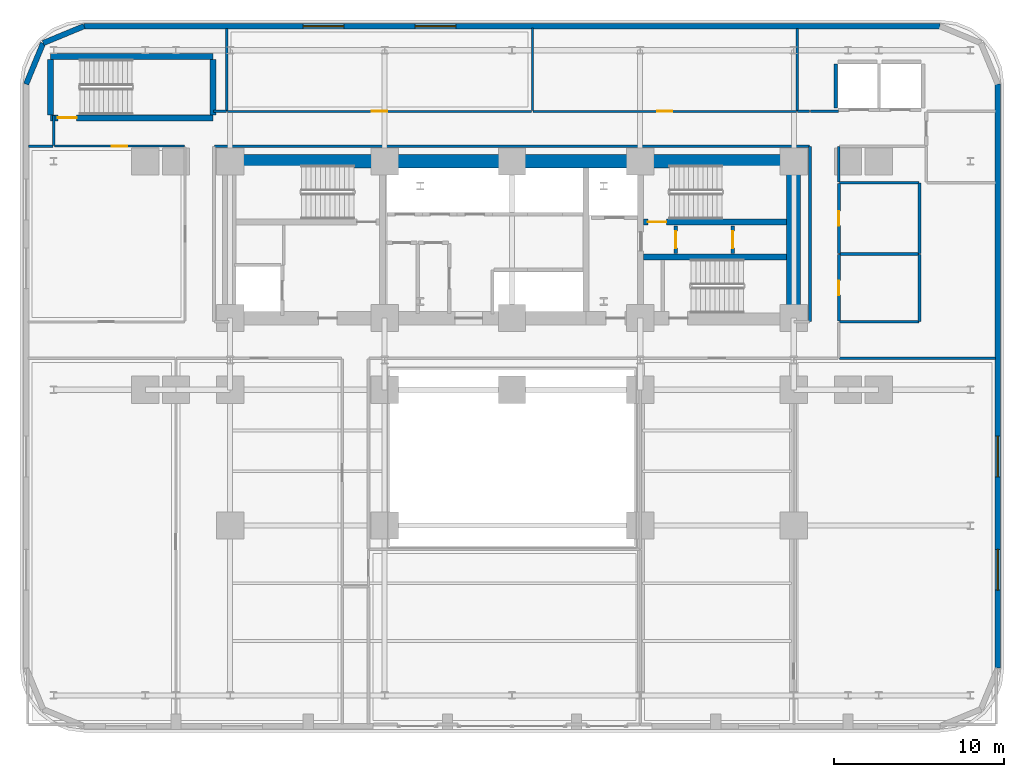
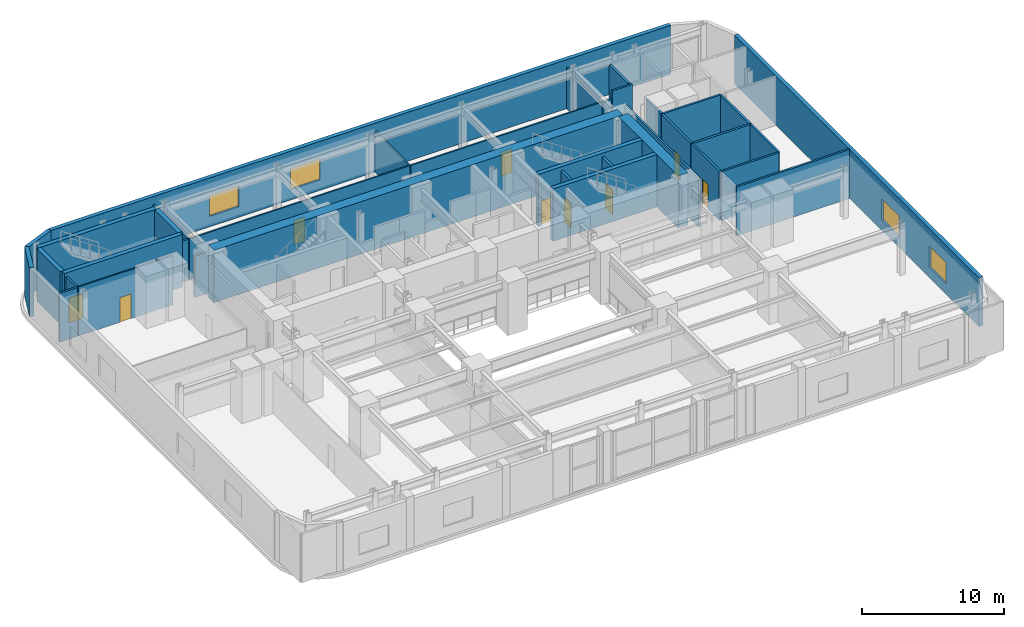
# One storey, part 8 of 14: 37 walls, 9 doors, 4 windows, 13 openings.
"""IFC4 building model written with IfcOpenShell, lengths in metres."""

import ifcopenshell
import ifcopenshell.guid

model = None  # the IFC model being written
_history = None  # IfcOwnerHistory: only IFC2X3 demands one
_inside = {}  # id of a spatial element -> (the spatial element, [elements in it])
_under = {}  # id of a project, library or spatial element -> (it, [spatial elements below it])
_declared = {}  # id of a project -> (the project, [libraries it declares])
_typed = {}  # id of a type object -> (the type object, [elements of that type])
_made_of = {}  # id of a material, layer set ... -> (it, [elements and type objects made of it])


def new_model(schema):
    """Start an empty IFC model of exactly this schema.

    Asked for "IFC4X3", IfcOpenShell would pick the latest addendum, in which some entities
    have other attributes; the version numbers below select the first issue.
    IFC2X3 requires an IfcOwnerHistory on every rooted entity: one is made here for all.
    """
    global model, _history
    if schema == "IFC4X3":
        model = ifcopenshell.file(schema_version=(4, 3, 0, 0))
    else:
        model = ifcopenshell.file(schema=schema)
    _inside.clear()
    _under.clear()
    _declared.clear()
    _typed.clear()
    _made_of.clear()
    _history = None
    if model.schema == "IFC2X3":
        org = make("IfcOrganization", Name="unknown")
        user = make(
            "IfcPersonAndOrganization",
            ThePerson=make("IfcPerson", FamilyName="unknown"),
            TheOrganization=org,
        )
        app = make(
            "IfcApplication",
            ApplicationDeveloper=org,
            Version="unknown",
            ApplicationFullName="unknown",
            ApplicationIdentifier="unknown",
        )
        _history = make(
            "IfcOwnerHistory",
            OwningUser=user,
            OwningApplication=app,
            ChangeAction="ADDED",
            CreationDate=0,
        )
    return model


def make(cls, **values):
    """One entity of the class cls with the attributes given. An attribute that is None is left unset."""
    return model.create_entity(
        cls, **{name: value for name, value in values.items() if value is not None}
    )


def rooted(cls, **values):
    """An entity with a GlobalId (a new one), such as an element, a storey or a relation."""
    return make(cls, GlobalId=ifcopenshell.guid.new(), OwnerHistory=_history, **values)


def si_unit(unit_type, name, prefix=None):
    """IfcSIUnit, for example si_unit("LENGTHUNIT", "METRE", prefix="MILLI")."""
    return make("IfcSIUnit", UnitType=unit_type, Prefix=prefix, Name=name)


def assignment(units):
    """IfcUnitAssignment: the units of a project."""
    return None if units is None else make("IfcUnitAssignment", Units=units)


def point(xyz):
    """IfcCartesianPoint."""
    return None if xyz is None else make("IfcCartesianPoint", Coordinates=xyz)


def direction(xyz):
    """IfcDirection."""
    return None if xyz is None else make("IfcDirection", DirectionRatios=xyz)


def frame(location, z_axis=None, x_axis=None):
    """IfcAxis2Placement3D, a coordinate frame: its origin and axes. An axis left out is left unset."""
    return make(
        "IfcAxis2Placement3D",
        Location=point(location),
        Axis=direction(z_axis),
        RefDirection=direction(x_axis),
    )


def frame_2d(location, x_axis=None):
    """IfcAxis2Placement2D, a coordinate frame in the plane: its origin and x axis."""
    return make(
        "IfcAxis2Placement2D", Location=point(location), RefDirection=direction(x_axis)
    )


def origin():
    """The frame at (0, 0, 0) with its axes left unset."""
    return frame((0.0, 0.0, 0.0))


def place(relative_to, where):
    """IfcLocalPlacement: puts the frame where relative to a parent placement (None: the world)."""
    return make(
        "IfcLocalPlacement", PlacementRelTo=relative_to, RelativePlacement=where
    )


def context(
    kind, dimensions, precision=None, world=None, true_north=None, identifier=None
):
    """IfcGeometricRepresentationContext, for example the 3D "Model" context."""
    return make(
        "IfcGeometricRepresentationContext",
        ContextIdentifier=identifier,
        ContextType=kind,
        CoordinateSpaceDimension=dimensions,
        Precision=precision,
        WorldCoordinateSystem=world,
        TrueNorth=true_north,
    )


def subcontext(parent, identifier, kind, view, scale=None):
    """IfcGeometricRepresentationSubContext, for example "Body" below "Model"."""
    return make(
        "IfcGeometricRepresentationSubContext",
        ContextIdentifier=identifier,
        ContextType=kind,
        ParentContext=parent,
        TargetScale=scale,
        TargetView=view,
    )


def project(units=None, contexts=None):
    """IfcProject with its units and contexts."""
    return rooted(
        "IfcProject",
        Name="project",
        RepresentationContexts=contexts,
        UnitsInContext=assignment(units),
    )


def spatial(cls, under=None, at=None, **own):
    """A site, building, storey or space (cls), placed at a placement, below another one or the project."""
    s = rooted(cls, ObjectPlacement=at, **own)
    if under is not None:
        _under.setdefault(under.id(), (under, []))[1].append(s)
    return s


def profile(cls, at=None, kind="AREA", **sizes):
    """A parametric profile (cls). Its sizes go by their IFC names, for example OverallWidth=200.0."""
    return make(cls, ProfileType=kind, Position=at, **sizes)


def rectangle(**sizes):
    """IfcRectangleProfileDef."""
    return profile("IfcRectangleProfileDef", **sizes)


def extrude(swept, where, along, depth):
    """IfcExtrudedAreaSolid: the profile swept, set in the frame where, extruded along a direction by depth."""
    return make(
        "IfcExtrudedAreaSolid",
        SweptArea=swept,
        Position=where,
        ExtrudedDirection=direction(along),
        Depth=depth,
    )


def shape(context_of_items, identifier, shape_type, items):
    """IfcShapeRepresentation: the items that make up one representation, for example the "Body"."""
    return make(
        "IfcShapeRepresentation",
        ContextOfItems=context_of_items,
        RepresentationIdentifier=identifier,
        RepresentationType=shape_type,
        Items=items,
    )


def material(Name=None, Category=None):
    """IfcMaterial."""
    return make("IfcMaterial", Name=Name, Category=Category)


def layer(
    of_material, thickness, ventilated=None, Name=None, Category=None, Priority=None
):
    """IfcMaterialLayer: one layer of a wall or slab, of a material (None: an air gap)."""
    return make(
        "IfcMaterialLayer",
        Material=of_material,
        LayerThickness=thickness,
        IsVentilated=ventilated,
        Name=Name,
        Category=Category,
        Priority=Priority,
    )


def layer_set(layers, Name=None):
    """IfcMaterialLayerSet."""
    return make("IfcMaterialLayerSet", MaterialLayers=layers, LayerSetName=Name)


def made_of(thing, what):
    """Note that an element or type object is made of a material, layer set ...; save() writes the relation."""
    if what is not None:
        _made_of.setdefault(what.id(), (what, []))[1].append(thing)
    return thing


def type_object(cls, material=None, **own):
    """A type object (cls), such as IfcWallType, which elements share."""
    return made_of(rooted(cls, **own), material)


def element(
    cls,
    number,
    at=None,
    inside=None,
    cuts=None,
    type_object=None,
    material=None,
    context=None,
    identifier="Body",
    shape_type=None,
    held_by="IfcProductDefinitionShape",
    body=None,
    shapes=None,
    **own,
):
    """One element of the class cls, such as IfcWall. Its Tag is "e" and its number.

    at: its placement. inside: the storey or other place that contains it. cuts: it is an
    opening in that element (IfcRelVoidsElement). A single representation is given by context,
    identifier, shape_type and body (its items); several are given by shapes. held_by: the class
    of the entity that holds the representations. save() writes the other relations.
    """
    e = rooted(cls, Tag="e%d" % number, ObjectPlacement=at, **own)
    if body is not None:
        shapes = [shape(context, identifier, shape_type, body)]
    if shapes is not None:
        e.Representation = make(held_by, Representations=shapes)
    if inside is not None:
        _inside.setdefault(inside.id(), (inside, []))[1].append(e)
    if cuts is not None:
        rooted(
            "IfcRelVoidsElement", RelatingBuildingElement=cuts, RelatedOpeningElement=e
        )
    if type_object is not None:
        _typed.setdefault(type_object.id(), (type_object, []))[1].append(e)
    return made_of(e, material)


def fill(opening, filler):
    """IfcRelFillsElement: the door or window that sits in an opening."""
    return rooted(
        "IfcRelFillsElement",
        RelatingOpeningElement=opening,
        RelatedBuildingElement=filler,
    )


def aggregate(whole, parts):
    """IfcRelAggregates: a whole, such as a stair, and the parts it consists of."""
    return rooted("IfcRelAggregates", RelatingObject=whole, RelatedObjects=parts)


def save(model, path):
    """Write the relations noted so far, then the file.

    IfcRelAggregates (storeys below a building ...), IfcRelContainedInSpatialStructure (elements
    in a storey), IfcRelDefinesByType, IfcRelAssociatesMaterial and IfcRelDeclares: one each for
    every whole, place, type object, material and project.
    """
    for whole, parts in _under.values():
        aggregate(whole, parts)
    for where, things in _inside.values():
        rooted(
            "IfcRelContainedInSpatialStructure",
            RelatedElements=things,
            RelatingStructure=where,
        )
    for kind, things in _typed.values():
        rooted("IfcRelDefinesByType", RelatedObjects=things, RelatingType=kind)
    for what, things in _made_of.values():
        rooted("IfcRelAssociatesMaterial", RelatedObjects=things, RelatingMaterial=what)
    for by, libraries in _declared.values():
        rooted("IfcRelDeclares", RelatingContext=by, RelatedDefinitions=libraries)
    model.write(path)


model = new_model("IFC4")

# Units and contexts
model_context = context("Model", 3, precision=1e-05, world=origin(), true_north=direction((0.0, 1.0)))
body_context = subcontext(model_context, "Body", "Model", "MODEL_VIEW")
ifc_project = project(units=[si_unit("LENGTHUNIT", "METRE"), si_unit("AREAUNIT", "SQUARE_METRE"), si_unit("VOLUMEUNIT", "CUBIC_METRE"), si_unit("PLANEANGLEUNIT", "RADIAN"), si_unit("MASSUNIT", "GRAM", prefix="KILO")], contexts=[model_context])

# Site, building, storey
site_placement = place(None, origin())
site = spatial("IfcSite", under=ifc_project, at=site_placement, CompositionType="ELEMENT")
building_placement = place(site_placement, origin())
building = spatial("IfcBuilding", under=site, at=building_placement, Name="Zarnavel Station Tower", CompositionType="ELEMENT")
storey_placement = place(building_placement, frame((0.0, 0.0, 10.39990234375)))
storey = spatial("IfcBuildingStorey", under=building, at=storey_placement, Name="L03", CompositionType="ELEMENT", Elevation=10.39990234375)

# Wall, opening, door
ifc_material_1 = material(Name="Concrete C50/60", Category="concrete")
ifc_layer_1 = layer(ifc_material_1, 0.35009765625)
ifc_layer_set_1 = layer_set([ifc_layer_1], Name="CW_350")
wall_type_1 = type_object("IfcWallType", Name="CW_350", PredefinedType="SHEAR", material=ifc_layer_set_1)
wall_1_placement = place(storey_placement, frame((44.97998046875, 33.47998046875, 0.0), z_axis=(0.0, 0.0, 1.0), x_axis=(-1.0, 0.0, 0.0)))
wall_1 = element("IfcWall", 1, at=wall_1_placement, inside=storey, type_object=wall_type_1, Name="L03 Rear Core Shear Wall DIV-H2", PredefinedType="SHEAR", context=body_context, shape_type="SweptSolid", body=[
    extrude(rectangle(XDim=8.425048828125, YDim=0.35009765625, at=frame_2d((4.21240234375, 0.0))), origin(), (0.0, 0.0, 1.0), 4.5),
])
opening_1_placement = place(wall_1_placement, frame((7.080078125, 0.0, 0.0)))
opening_1 = element("IfcOpeningElement", 2, at=opening_1_placement, cuts=wall_1, Name="Opening FD01", PredefinedType="OPENING", context=body_context, shape_type="SweptSolid", body=[
    extrude(rectangle(XDim=1.10009765625, YDim=2.14990234375, at=frame_2d((0.550048828125, 1.074951171875))), frame((0.0, 0.18505859375, 0.0), z_axis=(0.0, -1.0, 0.0), x_axis=(1.0, 0.0, 0.0)), (0.0, 0.0, 1.0), 0.3701171875),
])
ifc_material_2 = material(Name="Painted Galvanised Steel and Hardwood Leaf", Category="steel")
door_type_1 = type_object("IfcDoorType", Name="ID_STAIR_1100", OperationType="NOTDEFINED", PredefinedType="DOOR", material=ifc_material_2)
door_1_placement = place(opening_1_placement, origin())
door_1 = element("IfcDoor", 3, at=door_1_placement, inside=storey, type_object=door_type_1, Name="L03 Stair ST2 Lobby Fire Door", OperationType="SINGLE_SWING_RIGHT", OverallHeight=2.14990234375, OverallWidth=1.10009765625, PredefinedType="DOOR", context=body_context, shape_type="SweptSolid", body=[
    extrude(rectangle(XDim=1.10009765625, YDim=2.14990234375, at=frame_2d((0.550048828125, 1.074951171875))), frame((0.0, 0.02490234375, 0.0), z_axis=(0.0, -1.0, 0.0), x_axis=(1.0, 0.0, 0.0)), (0.0, 0.0, 1.0), 0.050048828125),
])
fill(opening_1, door_1)

# Walls
wall_2_placement = place(storey_placement, frame((36.554931640625, 31.419921875, 0.0), z_axis=(0.0, 0.0, 1.0), x_axis=(1.0, 0.0, 0.0)))
element("IfcWall", 4, at=wall_2_placement, inside=storey, type_object=wall_type_1, Name="L03 Rear Core Shear Wall DIV-H3", PredefinedType="SHEAR", context=body_context, shape_type="SweptSolid", body=[
    extrude(rectangle(XDim=8.425048828125, YDim=0.35009765625, at=frame_2d((4.21240234375, 0.0))), origin(), (0.0, 0.0, 1.0), 4.5),
])
wall_3_placement = place(storey_placement, frame((1.6201171875, 43.239990234375, 0.0), z_axis=(0.0, 0.0, 1.0), x_axis=(1.0, 0.0, 0.0)))
element("IfcWall", 5, at=wall_3_placement, inside=storey, type_object=wall_type_1, Name="L03 Rear Core Shear Wall ST4-N", PredefinedType="SHEAR", context=body_context, shape_type="SweptSolid", body=[
    extrude(rectangle(XDim=9.559814453125, YDim=0.35009765625, at=frame_2d((4.77978515625, 0.0))), origin(), (0.0, 0.0, 1.0), 4.5),
])

# Wall, opening, door
wall_4_placement = place(storey_placement, frame((11.179931640625, 39.6201171875, 0.0), z_axis=(0.0, 0.0, 1.0), x_axis=(-1.0, 0.0, 0.0)))
wall_4 = element("IfcWall", 6, at=wall_4_placement, inside=storey, type_object=wall_type_1, Name="L03 Rear Core Shear Wall ST4-S", PredefinedType="SHEAR", context=body_context, shape_type="SweptSolid", body=[
    extrude(rectangle(XDim=9.559814453125, YDim=0.35009765625, at=frame_2d((4.77978515625, 0.0))), origin(), (0.0, 0.0, 1.0), 4.5),
])
opening_2_placement = place(wall_4_placement, frame((8.030029296875, 0.0, 0.0)))
opening_2 = element("IfcOpeningElement", 7, at=opening_2_placement, cuts=wall_4, Name="Opening FD01", PredefinedType="OPENING", context=body_context, shape_type="SweptSolid", body=[
    extrude(rectangle(XDim=1.10009765625, YDim=2.14990234375, at=frame_2d((0.550048828125, 1.074951171875))), frame((0.0, 0.18505859375, 0.0), z_axis=(0.0, -1.0, 0.0), x_axis=(1.0, 0.0, 0.0)), (0.0, 0.0, 1.0), 0.3701171875),
])
door_2_placement = place(opening_2_placement, origin())
door_2 = element("IfcDoor", 8, at=door_2_placement, inside=storey, type_object=door_type_1, Name="L03 Podium Stair ST4 Fire Door", OperationType="SINGLE_SWING_RIGHT", OverallHeight=2.14990234375, OverallWidth=1.10009765625, PredefinedType="DOOR", context=body_context, shape_type="SweptSolid", body=[
    extrude(rectangle(XDim=1.10009765625, YDim=2.14990234375, at=frame_2d((0.550048828125, 1.074951171875))), frame((0.0, 0.02490234375, 0.0), z_axis=(0.0, -1.0, 0.0), x_axis=(1.0, 0.0, 0.0)), (0.0, 0.0, 1.0), 0.050048828125),
])
fill(opening_2, door_2)

# Walls
for number, where, z_axis, x_axis, name in (
    (9, (1.6201171875, 39.794921875, 0.0), (0.0, 0.0, 1.0), (0.0, 1.0, 0.0), "L03 Rear Core Shear Wall ST4-W"),
    (10, (11.179931640625, 39.794921875, 0.0), (0.0, 0.0, 1.0), (0.0, 1.0, 0.0), "L03 Rear Core Shear Wall ST4-E"),
):
    element("IfcWall", number, at=place(storey_placement, frame(where, z_axis=z_axis, x_axis=x_axis)), inside=storey, type_object=wall_type_1, Name=name, PredefinedType="SHEAR", context=body_context, shape_type="SweptSolid", body=[
        extrude(rectangle(XDim=3.27001953125, YDim=0.35009765625, at=frame_2d((1.635009765625, 0.0))), origin(), (0.0, 0.0, 1.0), 4.5),
    ])
ifc_material_3 = material(Name="Concrete C60/75", Category="concrete")
ifc_layer_2 = layer(ifc_material_3, 0.800048828125)
ifc_layer_set_2 = layer_set([ifc_layer_2], Name="CW_800")
wall_type_2 = type_object("IfcWallType", Name="CW_800", PredefinedType="SHEAR", material=ifc_layer_set_2)
wall_5_placement = place(storey_placement, frame((12.14990234375, 37.050048828125, 0.0), z_axis=(0.0, 0.0, 1.0), x_axis=(1.0, 0.0, 0.0)))
element("IfcWall", 11, at=wall_5_placement, inside=storey, type_object=wall_type_2, Name="L03 Rear Core Shear Wall N", PredefinedType="SHEAR", context=body_context, shape_type="SweptSolid", body=[
    extrude(rectangle(XDim=33.22998046875, YDim=0.800048828125, at=frame_2d((16.614990234375, 0.0))), origin(), (0.0, 0.0, 1.0), 4.5),
])
wall_6_placement = place(storey_placement, frame((45.3798828125, 28.219970703125, 0.0), z_axis=(0.0, 0.0, 1.0), x_axis=(0.0, 1.0, 0.0)))
element("IfcWall", 12, at=wall_6_placement, inside=storey, type_object=wall_type_2, Name="L03 Rear Core Shear Wall E", PredefinedType="SHEAR", context=body_context, shape_type="SweptSolid", body=[
    extrude(rectangle(XDim=8.429931640625, YDim=0.800048828125, at=frame_2d((4.21484375, 0.0))), origin(), (0.0, 0.0, 1.0), 4.5),
])

# Wall, openings, windows
ifc_material_4 = material(Name="Precast concrete C45/55 (Podium Basalt Frame)", Category="masonry")
ifc_layer_3 = layer(ifc_material_4, 0.320068359375)
ifc_layer_set_3 = layer_set([ifc_layer_3], Name="EW_BASALT_320")
wall_type_3 = type_object("IfcWallType", Name="EW_BASALT_320", PredefinedType="SOLIDWALL", material=ifc_layer_set_3)
wall_7_placement = place(storey_placement, frame((57.419921875, 41.60009765625, 0.0), z_axis=(0.0, 0.0, 1.0), x_axis=(0.0, -1.0, 0.0)))
wall_7 = element("IfcWall", 13, at=wall_7_placement, inside=storey, type_object=wall_type_3, Name="L03 Exterior Basalt Masonry Frame Wall 03", PredefinedType="SOLIDWALL", context=body_context, shape_type="SweptSolid", body=[
    extrude(rectangle(XDim=34.400146484375, YDim=0.320068359375, at=frame_2d((17.2001953125, 0.0))), origin(), (0.0, 0.0, 1.0), 4.2001953125),
])
opening_3_placement = place(wall_7_placement, frame((20.726806640625, 0.0, 0.89990234375)))
opening_3 = element("IfcOpeningElement", 14, at=opening_3_placement, cuts=wall_7, Name="Opening WN03", PredefinedType="OPENING", context=body_context, shape_type="SweptSolid", body=[
    extrude(rectangle(XDim=2.39990234375, YDim=1.800048828125, at=frame_2d((1.199951171875, 0.89990234375))), frame((0.0, 0.169921875, 0.0), z_axis=(0.0, -1.0, 0.0), x_axis=(1.0, 0.0, 0.0)), (0.0, 0.0, 1.0), 0.340087890625),
])
opening_4_placement = place(wall_7_placement, frame((27.4033203125, 0.0, 0.89990234375)))
opening_4 = element("IfcOpeningElement", 15, at=opening_4_placement, cuts=wall_7, Name="Opening WN03", PredefinedType="OPENING", context=body_context, shape_type="SweptSolid", body=[
    extrude(rectangle(XDim=2.39990234375, YDim=1.800048828125, at=frame_2d((1.199951171875, 0.89990234375))), frame((0.0, 0.169921875, 0.0), z_axis=(0.0, -1.0, 0.0), x_axis=(1.0, 0.0, 0.0)), (0.0, 0.0, 1.0), 0.340087890625),
])
ifc_material_5 = material(Name="Thermally Broken Black Aluminium and Low-E Dark Glass", Category="aluminium")
window_type = type_object("IfcWindowType", Name="WN_2400x1800", PartitioningType="TRIPLE_PANEL_VERTICAL", PredefinedType="WINDOW", material=ifc_material_5)
window_1_placement = place(opening_3_placement, origin())
window_1 = element("IfcWindow", 16, at=window_1_placement, inside=storey, type_object=window_type, Name="L03 Recessed Facade Window 01", OverallHeight=1.800048828125, OverallWidth=2.39990234375, PartitioningType="SINGLE_PANEL", PredefinedType="WINDOW", context=body_context, shape_type="SweptSolid", body=[
    extrude(rectangle(XDim=2.39990234375, YDim=1.800048828125, at=frame_2d((1.199951171875, 0.89990234375))), frame((0.0, 0.030029296875, 0.0), z_axis=(0.0, -1.0, 0.0), x_axis=(1.0, 0.0, 0.0)), (0.0, 0.0, 1.0), 0.06005859375),
])
fill(opening_3, window_1)
window_2_placement = place(opening_4_placement, origin())
window_2 = element("IfcWindow", 17, at=window_2_placement, inside=storey, type_object=window_type, Name="L03 Recessed Facade Window 02", OverallHeight=1.800048828125, OverallWidth=2.39990234375, PartitioningType="SINGLE_PANEL", PredefinedType="WINDOW", context=body_context, shape_type="SweptSolid", body=[
    extrude(rectangle(XDim=2.39990234375, YDim=1.800048828125, at=frame_2d((1.199951171875, 0.89990234375))), frame((0.0, 0.030029296875, 0.0), z_axis=(0.0, -1.0, 0.0), x_axis=(1.0, 0.0, 0.0)), (0.0, 0.0, 1.0), 0.06005859375),
])
fill(opening_4, window_2)

wall_8_placement = place(storey_placement, frame((3.60009765625, 45.02001953125, 0.0), z_axis=(0.0, 0.0, 1.0), x_axis=(1.0, 0.0, 0.0)))
wall_8 = element("IfcWall", 18, at=wall_8_placement, inside=storey, type_object=wall_type_3, Name="L03 Exterior Basalt Masonry Frame Wall 06", PredefinedType="SOLIDWALL", context=body_context, shape_type="SweptSolid", body=[
    extrude(rectangle(XDim=50.39990234375, YDim=0.320068359375, at=frame_2d((25.199951171875, 0.0))), origin(), (0.0, 0.0, 1.0), 4.2001953125),
])
opening_5_placement = place(wall_8_placement, frame((12.89990234375, 0.0, 0.89990234375)))
opening_5 = element("IfcOpeningElement", 19, at=opening_5_placement, cuts=wall_8, Name="Opening WN03", PredefinedType="OPENING", context=body_context, shape_type="SweptSolid", body=[
    extrude(rectangle(XDim=2.39990234375, YDim=1.800048828125, at=frame_2d((1.199951171875, 0.89990234375))), frame((0.0, 0.169921875, 0.0), z_axis=(0.0, -1.0, 0.0), x_axis=(1.0, 0.0, 0.0)), (0.0, 0.0, 1.0), 0.340087890625),
])
opening_6_placement = place(wall_8_placement, frame((19.5, 0.0, 0.89990234375)))
opening_6 = element("IfcOpeningElement", 20, at=opening_6_placement, cuts=wall_8, Name="Opening WN03", PredefinedType="OPENING", context=body_context, shape_type="SweptSolid", body=[
    extrude(rectangle(XDim=2.39990234375, YDim=1.800048828125, at=frame_2d((1.199951171875, 0.89990234375))), frame((0.0, 0.169921875, 0.0), z_axis=(0.0, -1.0, 0.0), x_axis=(1.0, 0.0, 0.0)), (0.0, 0.0, 1.0), 0.340087890625),
])
window_3_placement = place(opening_5_placement, origin())
window_3 = element("IfcWindow", 21, at=window_3_placement, inside=storey, type_object=window_type, Name="L03 Recessed Facade Window 01", OverallHeight=1.800048828125, OverallWidth=2.39990234375, PartitioningType="SINGLE_PANEL", PredefinedType="WINDOW", context=body_context, shape_type="SweptSolid", body=[
    extrude(rectangle(XDim=2.39990234375, YDim=1.800048828125, at=frame_2d((1.199951171875, 0.89990234375))), frame((0.0, 0.030029296875, 0.0), z_axis=(0.0, -1.0, 0.0), x_axis=(1.0, 0.0, 0.0)), (0.0, 0.0, 1.0), 0.06005859375),
])
fill(opening_5, window_3)
window_4_placement = place(opening_6_placement, origin())
window_4 = element("IfcWindow", 22, at=window_4_placement, inside=storey, type_object=window_type, Name="L03 Recessed Facade Window 02", OverallHeight=1.800048828125, OverallWidth=2.39990234375, PartitioningType="SINGLE_PANEL", PredefinedType="WINDOW", context=body_context, shape_type="SweptSolid", body=[
    extrude(rectangle(XDim=2.39990234375, YDim=1.800048828125, at=frame_2d((1.199951171875, 0.89990234375))), frame((0.0, 0.030029296875, 0.0), z_axis=(0.0, -1.0, 0.0), x_axis=(1.0, 0.0, 0.0)), (0.0, 0.0, 1.0), 0.06005859375),
])
fill(opening_6, window_4)

# Walls
wall_9_placement = place(storey_placement, frame((1.181640625, 44.018310546875, 0.0), z_axis=(0.0, 0.0, 1.0), x_axis=(0.923886112352, 0.382667546838, 0.0)))
element("IfcWall", 23, at=wall_9_placement, inside=storey, type_object=wall_type_3, Name="L03 Exterior Basalt Masonry Frame Wall 07", PredefinedType="SOLIDWALL", context=body_context, shape_type="SweptSolid", body=[
    extrude(rectangle(XDim=2.61767578125, YDim=0.320068359375, at=frame_2d((1.308837890625, 0.0))), origin(), (0.0, 0.0, 1.0), 4.2001953125),
])
wall_10_placement = place(storey_placement, frame((0.179931640625, 41.60009765625, 0.0), z_axis=(0.0, 0.0, 1.0), x_axis=(0.382700522567, 0.923872453333, 0.0)))
element("IfcWall", 24, at=wall_10_placement, inside=storey, type_object=wall_type_3, Name="L03 Exterior Basalt Masonry Frame Wall 08", PredefinedType="SOLIDWALL", context=body_context, shape_type="SweptSolid", body=[
    extrude(rectangle(XDim=2.617431640625, YDim=0.320068359375, at=frame_2d((1.30859375, 0.0))), origin(), (0.0, 0.0, 1.0), 4.2001953125),
])
ifc_material_6 = material(Name="Gypsum Twin-Stud Acoustic Fire Partition", Category="concrete")
ifc_layer_4 = layer(ifc_material_6, 0.159912109375)
ifc_layer_set_4 = layer_set([ifc_layer_4], Name="PT_DEMISE_160")
wall_type_4 = type_object("IfcWallType", Name="PT_DEMISE_160", PredefinedType="PARTITIONING", material=ifc_layer_set_4)
wall_11_placement = place(storey_placement, frame((46.3798828125, 40.0, 0.0), z_axis=(0.0, 0.0, 1.0), x_axis=(1.0, 0.0, 0.0)))
element("IfcWall", 25, at=wall_11_placement, inside=storey, type_object=wall_type_4, Name="L03 Enclosure Wall PCOR-E", PredefinedType="PARTITIONING", context=body_context, shape_type="SweptSolid", body=[
    extrude(rectangle(XDim=1.64013671875, YDim=0.159912109375, at=frame_2d((0.820068359375, 0.0))), origin(), (0.0, 0.0, 1.0), 4.2001953125),
])
wall_12_placement = place(storey_placement, frame((46.35009765625, 27.6298828125, 0.0), z_axis=(0.0, 0.0, 1.0), x_axis=(0.0, 1.0, 0.0)))
element("IfcWall", 26, at=wall_12_placement, inside=storey, type_object=wall_type_4, Name="L03 Enclosure Wall PCOR-E", PredefinedType="PARTITIONING", context=body_context, shape_type="SweptSolid", body=[
    extrude(rectangle(XDim=10.2900390625, YDim=0.159912109375, at=frame_2d((5.14501953125, 0.0))), origin(), (0.0, 0.0, 1.0), 4.2001953125),
])
wall_13_placement = place(storey_placement, frame((48.050048828125, 35.830078125, 0.0), z_axis=(0.0, 0.0, 1.0), x_axis=(0.0, 1.0, 0.0)))
element("IfcWall", 27, at=wall_13_placement, inside=storey, type_object=wall_type_4, Name="L03 Enclosure Wall PCOR-E", PredefinedType="PARTITIONING", context=body_context, shape_type="SweptSolid", body=[
    extrude(rectangle(XDim=2.08984375, YDim=0.159912109375, at=frame_2d((1.044921875, 0.0))), origin(), (0.0, 0.0, 1.0), 4.2001953125),
])
wall_14_placement = place(storey_placement, frame((11.280029296875, 37.949951171875, 0.0), z_axis=(0.0, 0.0, 1.0), x_axis=(1.0, 0.0, 0.0)))
element("IfcWall", 28, at=wall_14_placement, inside=storey, type_object=wall_type_4, Name="L03 Enclosure Wall PCOR-N", PredefinedType="PARTITIONING", context=body_context, shape_type="SweptSolid", body=[
    extrude(rectangle(XDim=35.0400390625, YDim=0.159912109375, at=frame_2d((17.52001953125, 0.0))), origin(), (0.0, 0.0, 1.0), 3.530029296875),
])
wall_15_placement = place(storey_placement, frame((11.2099609375, 40.0, 0.0), z_axis=(0.0, 0.0, 1.0), x_axis=(1.0, 0.0, 0.0)))
element("IfcWall", 29, at=wall_15_placement, inside=storey, type_object=wall_type_4, Name="L03 Enclosure Wall PCOR-N", PredefinedType="PARTITIONING", context=body_context, shape_type="SweptSolid", body=[
    extrude(rectangle(XDim=0.760009765625, YDim=0.159912109375, at=frame_2d((0.3798828125, 0.0))), origin(), (0.0, 0.0, 1.0), 3.530029296875),
])
wall_16_placement = place(storey_placement, frame((45.6298828125, 40.0, 0.0), z_axis=(0.0, 0.0, 1.0), x_axis=(1.0, 0.0, 0.0)))
element("IfcWall", 30, at=wall_16_placement, inside=storey, type_object=wall_type_4, Name="L03 Enclosure Wall PCOR-N", PredefinedType="PARTITIONING", context=body_context, shape_type="SweptSolid", body=[
    extrude(rectangle(XDim=0.690185546875, YDim=0.159912109375, at=frame_2d((0.34521484375, 0.0))), origin(), (0.0, 0.0, 1.0), 3.530029296875),
])
wall_17_placement = place(storey_placement, frame((1.800048828125, 37.97998046875, 0.0), z_axis=(0.0, 0.0, 1.0), x_axis=(0.0, 1.0, 0.0)))
element("IfcWall", 31, at=wall_17_placement, inside=storey, type_object=wall_type_4, Name="L03 Enclosure Wall PCOR-N", PredefinedType="PARTITIONING", context=body_context, shape_type="SweptSolid", body=[
    extrude(rectangle(XDim=1.784912109375, YDim=0.159912109375, at=frame_2d((0.892578125, 0.0))), origin(), (0.0, 0.0, 1.0), 4.2001953125),
])
wall_18_placement = place(storey_placement, frame((0.31005859375, 37.949951171875, 0.0), z_axis=(0.0, 0.0, 1.0), x_axis=(1.0, 0.0, 0.0)))
element("IfcWall", 32, at=wall_18_placement, inside=storey, type_object=wall_type_4, Name="L03 Enclosure Wall PNW", PredefinedType="PARTITIONING", context=body_context, shape_type="SweptSolid", body=[
    extrude(rectangle(XDim=1.4599609375, YDim=0.159912109375, at=frame_2d((0.72998046875, 0.0))), origin(), (0.0, 0.0, 1.0), 4.2001953125),
])
wall_19_placement = place(storey_placement, frame((48.080078125, 27.60009765625, 0.0), z_axis=(0.0, 0.0, 1.0), x_axis=(1.0, 0.0, 0.0)))
element("IfcWall", 33, at=wall_19_placement, inside=storey, type_object=wall_type_4, Name="L03 Enclosure Wall PWC-M", PredefinedType="PARTITIONING", context=body_context, shape_type="SweptSolid", body=[
    extrude(rectangle(XDim=4.68994140625, YDim=0.159912109375, at=frame_2d((2.344970703125, 0.0))), origin(), (0.0, 0.0, 1.0), 4.2001953125),
])
wall_20_placement = place(storey_placement, frame((52.800048828125, 27.6298828125, 0.0), z_axis=(0.0, 0.0, 1.0), x_axis=(0.0, 1.0, 0.0)))
element("IfcWall", 34, at=wall_20_placement, inside=storey, type_object=wall_type_4, Name="L03 Enclosure Wall PWC-M", PredefinedType="PARTITIONING", context=body_context, shape_type="SweptSolid", body=[
    extrude(rectangle(XDim=3.940185546875, YDim=0.159912109375, at=frame_2d((1.97021484375, 0.0))), origin(), (0.0, 0.0, 1.0), 4.2001953125),
])
wall_21_placement = place(storey_placement, frame((48.080078125, 35.800048828125, 0.0), z_axis=(0.0, 0.0, 1.0), x_axis=(1.0, 0.0, 0.0)))
element("IfcWall", 35, at=wall_21_placement, inside=storey, type_object=wall_type_4, Name="L03 Enclosure Wall PWC-F", PredefinedType="PARTITIONING", context=body_context, shape_type="SweptSolid", body=[
    extrude(rectangle(XDim=4.68994140625, YDim=0.159912109375, at=frame_2d((2.344970703125, 0.0))), origin(), (0.0, 0.0, 1.0), 4.2001953125),
])
wall_22_placement = place(storey_placement, frame((52.800048828125, 31.6298828125, 0.0), z_axis=(0.0, 0.0, 1.0), x_axis=(0.0, 1.0, 0.0)))
element("IfcWall", 36, at=wall_22_placement, inside=storey, type_object=wall_type_4, Name="L03 Enclosure Wall PWC-F", PredefinedType="PARTITIONING", context=body_context, shape_type="SweptSolid", body=[
    extrude(rectangle(XDim=4.14013671875, YDim=0.159912109375, at=frame_2d((2.070068359375, 0.0))), origin(), (0.0, 0.0, 1.0), 4.2001953125),
])
wall_23_placement = place(storey_placement, frame((48.080078125, 25.449951171875, 0.0), z_axis=(0.0, 0.0, 1.0), x_axis=(1.0, 0.0, 0.0)))
element("IfcWall", 37, at=wall_23_placement, inside=storey, type_object=wall_type_4, Name="L03 Enclosure Wall BOUE", PredefinedType="PARTITIONING", context=body_context, shape_type="SweptSolid", body=[
    extrude(rectangle(XDim=9.2099609375, YDim=0.159912109375, at=frame_2d((4.60498046875, 0.0))), origin(), (0.0, 0.0, 1.0), 4.2001953125),
])
for number, where, z_axis, x_axis, name in (
    (38, (12.0, 40.030029296875, 0.0), (0.0, 0.0, 1.0), (0.0, 1.0, 0.0), "L03 Enclosure Wall MGT"),
    (39, (45.60009765625, 40.030029296875, 0.0), (0.0, 0.0, 1.0), (0.0, 1.0, 0.0), "L03 Enclosure Wall STKR"),
):
    element("IfcWall", number, at=place(storey_placement, frame(where, z_axis=z_axis, x_axis=x_axis)), inside=storey, type_object=wall_type_4, Name=name, PredefinedType="PARTITIONING", context=body_context, shape_type="SweptSolid", body=[
        extrude(rectangle(XDim=4.85986328125, YDim=0.159912109375, at=frame_2d((2.429931640625, 0.0))), origin(), (0.0, 0.0, 1.0), 3.530029296875),
    ])

# Wall, opening, door
ifc_material_7 = material(Name="Gypsum Metal-Stud Interior Partition", Category="concrete")
ifc_layer_5 = layer(ifc_material_7, 0.1201171875)
ifc_layer_set_5 = layer_set([ifc_layer_5], Name="PT_ROOM_120")
wall_type_5 = type_object("IfcWallType", Name="PT_ROOM_120", PredefinedType="PARTITIONING", material=ifc_layer_set_5)
wall_24_placement = place(storey_placement, frame((1.840087890625, 37.949951171875, 0.0), z_axis=(0.0, 0.0, 1.0), x_axis=(1.0, 0.0, 0.0)))
wall_24 = element("IfcWall", 40, at=wall_24_placement, inside=storey, type_object=wall_type_5, Name="L03 Partition PCOR-N-PNW", PredefinedType="PARTITIONING", context=body_context, shape_type="SweptSolid", body=[
    extrude(rectangle(XDim=7.669921875, YDim=0.1201171875, at=frame_2d((3.8349609375, 0.0))), origin(), (0.0, 0.0, 1.0), 4.2001953125),
])
opening_7_placement = place(wall_24_placement, frame((3.385009765625, 0.0, 0.0)))
opening_7 = element("IfcOpeningElement", 41, at=opening_7_placement, cuts=wall_24, Name="Opening ID01", PredefinedType="OPENING", context=body_context, shape_type="SweptSolid", body=[
    extrude(rectangle(XDim=0.89990234375, YDim=2.10009765625, at=frame_2d((0.449951171875, 1.050048828125))), frame((0.0, 0.070068359375, 0.0), z_axis=(0.0, -1.0, 0.0), x_axis=(1.0, 0.0, 0.0)), (0.0, 0.0, 1.0), 0.14013671875),
])
ifc_material_8 = material(Name="Painted Galvanised Steel and Hardwood Leaf", Category="steel")
door_type_2 = type_object("IfcDoorType", Name="ID_ROOM_900", OperationType="NOTDEFINED", PredefinedType="DOOR", material=ifc_material_8)
door_3_placement = place(opening_7_placement, origin())
door_3 = element("IfcDoor", 42, at=door_3_placement, inside=storey, type_object=door_type_2, Name="L03 Door PCOR-N-PNW", OperationType="SINGLE_SWING_LEFT", OverallHeight=2.10009765625, OverallWidth=0.89990234375, PredefinedType="DOOR", context=body_context, shape_type="SweptSolid", body=[
    extrude(rectangle(XDim=0.89990234375, YDim=2.10009765625, at=frame_2d((0.449951171875, 1.050048828125))), frame((0.0, 0.02490234375, 0.0), z_axis=(0.0, -1.0, 0.0), x_axis=(1.0, 0.0, 0.0)), (0.0, 0.0, 1.0), 0.050048828125),
])
fill(opening_7, door_3)

wall_25_placement = place(storey_placement, frame((12.0400390625, 40.0, 0.0), z_axis=(0.0, 0.0, 1.0), x_axis=(1.0, 0.0, 0.0)))
wall_25 = element("IfcWall", 43, at=wall_25_placement, inside=storey, type_object=wall_type_5, Name="L03 Partition PCOR-N-MGT", PredefinedType="PARTITIONING", context=body_context, shape_type="SweptSolid", body=[
    extrude(rectangle(XDim=17.919921875, YDim=0.1201171875, at=frame_2d((8.9599609375, 0.0))), origin(), (0.0, 0.0, 1.0), 3.530029296875),
])
opening_8_placement = place(wall_25_placement, frame((8.510009765625, 0.0, 0.0)))
opening_8 = element("IfcOpeningElement", 44, at=opening_8_placement, cuts=wall_25, Name="Opening ID01", PredefinedType="OPENING", context=body_context, shape_type="SweptSolid", body=[
    extrude(rectangle(XDim=0.89990234375, YDim=2.10009765625, at=frame_2d((0.449951171875, 1.050048828125))), frame((0.0, 0.070068359375, 0.0), z_axis=(0.0, -1.0, 0.0), x_axis=(1.0, 0.0, 0.0)), (0.0, 0.0, 1.0), 0.14013671875),
])
door_4_placement = place(opening_8_placement, origin())
door_4 = element("IfcDoor", 45, at=door_4_placement, inside=storey, type_object=door_type_2, Name="L03 Door PCOR-N-MGT", OperationType="SINGLE_SWING_RIGHT", OverallHeight=2.10009765625, OverallWidth=0.89990234375, PredefinedType="DOOR", context=body_context, shape_type="SweptSolid", body=[
    extrude(rectangle(XDim=0.89990234375, YDim=2.10009765625, at=frame_2d((0.449951171875, 1.050048828125))), frame((0.0, 0.02490234375, 0.0), z_axis=(0.0, -1.0, 0.0), x_axis=(1.0, 0.0, 0.0)), (0.0, 0.0, 1.0), 0.050048828125),
])
fill(opening_8, door_4)

wall_26_placement = place(storey_placement, frame((30.0400390625, 40.0, 0.0), z_axis=(0.0, 0.0, 1.0), x_axis=(1.0, 0.0, 0.0)))
wall_26 = element("IfcWall", 46, at=wall_26_placement, inside=storey, type_object=wall_type_5, Name="L03 Partition PCOR-N-STKR", PredefinedType="PARTITIONING", context=body_context, shape_type="SweptSolid", body=[
    extrude(rectangle(XDim=15.52001953125, YDim=0.1201171875, at=frame_2d((7.760009765625, 0.0))), origin(), (0.0, 0.0, 1.0), 3.530029296875),
])
opening_9_placement = place(wall_26_placement, frame((7.31005859375, 0.0, 0.0)))
opening_9 = element("IfcOpeningElement", 47, at=opening_9_placement, cuts=wall_26, Name="Opening ID01", PredefinedType="OPENING", context=body_context, shape_type="SweptSolid", body=[
    extrude(rectangle(XDim=0.89990234375, YDim=2.10009765625, at=frame_2d((0.449951171875, 1.050048828125))), frame((0.0, 0.070068359375, 0.0), z_axis=(0.0, -1.0, 0.0), x_axis=(1.0, 0.0, 0.0)), (0.0, 0.0, 1.0), 0.14013671875),
])
door_5_placement = place(opening_9_placement, origin())
door_5 = element("IfcDoor", 48, at=door_5_placement, inside=storey, type_object=door_type_2, Name="L03 Door PCOR-N-STKR", OperationType="SINGLE_SWING_LEFT", OverallHeight=2.10009765625, OverallWidth=0.89990234375, PredefinedType="DOOR", context=body_context, shape_type="SweptSolid", body=[
    extrude(rectangle(XDim=0.89990234375, YDim=2.10009765625, at=frame_2d((0.449951171875, 1.050048828125))), frame((0.0, 0.02490234375, 0.0), z_axis=(0.0, -1.0, 0.0), x_axis=(1.0, 0.0, 0.0)), (0.0, 0.0, 1.0), 0.050048828125),
])
fill(opening_9, door_5)

# Walls
wall_27_placement = place(storey_placement, frame((30.0, 40.0400390625, 0.0), z_axis=(0.0, 0.0, 1.0), x_axis=(0.0, 1.0, 0.0)))
element("IfcWall", 49, at=wall_27_placement, inside=storey, type_object=wall_type_5, Name="L03 Partition MGT-STKR", PredefinedType="PARTITIONING", context=body_context, shape_type="SweptSolid", body=[
    extrude(rectangle(XDim=4.8798828125, YDim=0.1201171875, at=frame_2d((2.43994140625, 0.0))), origin(), (0.0, 0.0, 1.0), 3.530029296875),
])
ifc_material_9 = material(Name="Precast concrete C45/55 (Fire Shaft Blockwork)", Category="masonry")
ifc_layer_6 = layer(ifc_material_9, 0.199951171875)
ifc_layer_set_6 = layer_set([ifc_layer_6], Name="PT_SHAFT_200")
wall_type_6 = type_object("IfcWallType", Name="PT_SHAFT_200", PredefinedType="PARTITIONING", material=ifc_layer_set_6)
wall_28_placement = place(storey_placement, frame((47.8798828125, 40.199951171875, 0.0), z_axis=(0.0, 0.0, 1.0), x_axis=(0.0, 1.0, 0.0)))
element("IfcWall", 50, at=wall_28_placement, inside=storey, type_object=wall_type_6, Name="L03 Lift PL-P1 Shaft Wall W", PredefinedType="PARTITIONING", context=body_context, shape_type="SweptSolid", body=[
    extrude(rectangle(XDim=2.60009765625, YDim=0.199951171875, at=frame_2d((1.300048828125, 0.0))), origin(), (0.0, 0.0, 1.0), 4.2001953125),
])

# Wall, opening, door
wall_29_placement = place(storey_placement, frame((38.449951171875, 31.639892578125, 0.0), z_axis=(0.0, 0.0, 1.0), x_axis=(0.0, 1.0, 0.0)))
wall_29 = element("IfcWall", 51, at=wall_29_placement, inside=storey, type_object=wall_type_6, Name="L03 Partition ESTV-CEA", PredefinedType="PARTITIONING", context=body_context, shape_type="SweptSolid", body=[
    extrude(rectangle(XDim=1.6201171875, YDim=0.199951171875, at=frame_2d((0.81005859375, 0.0))), origin(), (0.0, 0.0, 1.0), 4.2001953125),
])
opening_10_placement = place(wall_29_placement, frame((0.31005859375, 0.0, 0.0)))
opening_10 = element("IfcOpeningElement", 52, at=opening_10_placement, cuts=wall_29, Name="Opening FD02", PredefinedType="OPENING", context=body_context, shape_type="SweptSolid", body=[
    extrude(rectangle(XDim=1.0, YDim=2.14990234375, at=frame_2d((0.5, 1.074951171875))), frame((0.0, 0.10986328125, 0.0), z_axis=(0.0, -1.0, 0.0), x_axis=(1.0, 0.0, 0.0)), (0.0, 0.0, 1.0), 0.219970703125),
])
ifc_material_10 = material(Name="Painted Galvanised Steel and Hardwood Leaf", Category="steel")
door_type_3 = type_object("IfcDoorType", Name="ID_ENTRY_1000", OperationType="NOTDEFINED", PredefinedType="DOOR", material=ifc_material_10)
door_6_placement = place(opening_10_placement, origin())
door_6 = element("IfcDoor", 53, at=door_6_placement, inside=storey, type_object=door_type_3, Name="L03 Door ESTV-CEA", OperationType="SINGLE_SWING_RIGHT", OverallHeight=2.14990234375, OverallWidth=1.0, PredefinedType="DOOR", context=body_context, shape_type="SweptSolid", body=[
    extrude(rectangle(XDim=1.0, YDim=2.14990234375, at=frame_2d((0.5, 1.074951171875))), frame((0.0, 0.02490234375, 0.0), z_axis=(0.0, -1.0, 0.0), x_axis=(1.0, 0.0, 0.0)), (0.0, 0.0, 1.0), 0.050048828125),
])
fill(opening_10, door_6)

wall_30_placement = place(storey_placement, frame((41.800048828125, 31.639892578125, 0.0), z_axis=(0.0, 0.0, 1.0), x_axis=(0.0, 1.0, 0.0)))
wall_30 = element("IfcWall", 54, at=wall_30_placement, inside=storey, type_object=wall_type_6, Name="L03 Partition CEA-CEB", PredefinedType="PARTITIONING", context=body_context, shape_type="SweptSolid", body=[
    extrude(rectangle(XDim=1.6201171875, YDim=0.199951171875, at=frame_2d((0.81005859375, 0.0))), origin(), (0.0, 0.0, 1.0), 4.2001953125),
])
opening_11_placement = place(wall_30_placement, frame((0.31005859375, 0.0, 0.0)))
opening_11 = element("IfcOpeningElement", 55, at=opening_11_placement, cuts=wall_30, Name="Opening FD02", PredefinedType="OPENING", context=body_context, shape_type="SweptSolid", body=[
    extrude(rectangle(XDim=1.0, YDim=2.14990234375, at=frame_2d((0.5, 1.074951171875))), frame((0.0, 0.10986328125, 0.0), z_axis=(0.0, -1.0, 0.0), x_axis=(1.0, 0.0, 0.0)), (0.0, 0.0, 1.0), 0.219970703125),
])
door_7_placement = place(opening_11_placement, origin())
door_7 = element("IfcDoor", 56, at=door_7_placement, inside=storey, type_object=door_type_3, Name="L03 Door CEA-CEB", OperationType="SINGLE_SWING_LEFT", OverallHeight=2.14990234375, OverallWidth=1.0, PredefinedType="DOOR", context=body_context, shape_type="SweptSolid", body=[
    extrude(rectangle(XDim=1.0, YDim=2.14990234375, at=frame_2d((0.5, 1.074951171875))), frame((0.0, 0.02490234375, 0.0), z_axis=(0.0, -1.0, 0.0), x_axis=(1.0, 0.0, 0.0)), (0.0, 0.0, 1.0), 0.050048828125),
])
fill(opening_11, door_7)

ifc_material_11 = material(Name="Moisture-Resistant Plumbing Chase Wall", Category="concrete")
ifc_layer_7 = layer(ifc_material_11, 0.179931640625)
ifc_layer_set_7 = layer_set([ifc_layer_7], Name="PW_PLUMB_180")
wall_type_7 = type_object("IfcWallType", Name="PW_PLUMB_180", PredefinedType="PLUMBINGWALL", material=ifc_layer_set_7)
wall_31_placement = place(storey_placement, frame((48.050048828125, 27.639892578125, 0.0), z_axis=(0.0, 0.0, 1.0), x_axis=(0.0, 1.0, 0.0)))
wall_31 = element("IfcWall", 57, at=wall_31_placement, inside=storey, type_object=wall_type_7, Name="L03 Partition PCOR-E-PWC-M", PredefinedType="PLUMBINGWALL", context=body_context, shape_type="SweptSolid", body=[
    extrude(rectangle(XDim=3.920166015625, YDim=0.179931640625, at=frame_2d((1.9599609375, 0.0))), origin(), (0.0, 0.0, 1.0), 4.2001953125),
])
opening_12_placement = place(wall_31_placement, frame((1.534912109375, 0.0, 0.0)))
opening_12 = element("IfcOpeningElement", 58, at=opening_12_placement, cuts=wall_31, Name="Opening ID02", PredefinedType="OPENING", context=body_context, shape_type="SweptSolid", body=[
    extrude(rectangle(XDim=0.85009765625, YDim=2.10009765625, at=frame_2d((0.425048828125, 1.050048828125))), frame((0.0, 0.099853515625, 0.0), z_axis=(0.0, -1.0, 0.0), x_axis=(1.0, 0.0, 0.0)), (0.0, 0.0, 1.0), 0.199951171875),
])
ifc_material_12 = material(Name="Painted Galvanised Steel and Hardwood Leaf", Category="steel")
door_type_4 = type_object("IfcDoorType", Name="ID_BATH_850", OperationType="NOTDEFINED", PredefinedType="DOOR", material=ifc_material_12)
door_8_placement = place(opening_12_placement, origin())
door_8 = element("IfcDoor", 59, at=door_8_placement, inside=storey, type_object=door_type_4, Name="L03 Door PCOR-E-PWC-M", OperationType="SINGLE_SWING_LEFT", OverallHeight=2.10009765625, OverallWidth=0.85009765625, PredefinedType="DOOR", context=body_context, shape_type="SweptSolid", body=[
    extrude(rectangle(XDim=0.85009765625, YDim=2.10009765625, at=frame_2d((0.425048828125, 1.050048828125))), frame((0.0, 0.02490234375, 0.0), z_axis=(0.0, -1.0, 0.0), x_axis=(1.0, 0.0, 0.0)), (0.0, 0.0, 1.0), 0.050048828125),
])
fill(opening_12, door_8)

wall_32_placement = place(storey_placement, frame((48.050048828125, 31.639892578125, 0.0), z_axis=(0.0, 0.0, 1.0), x_axis=(0.0, 1.0, 0.0)))
wall_32 = element("IfcWall", 60, at=wall_32_placement, inside=storey, type_object=wall_type_7, Name="L03 Partition PCOR-E-PWC-F", PredefinedType="PLUMBINGWALL", context=body_context, shape_type="SweptSolid", body=[
    extrude(rectangle(XDim=4.1201171875, YDim=0.179931640625, at=frame_2d((2.06005859375, 0.0))), origin(), (0.0, 0.0, 1.0), 4.2001953125),
])
opening_13_placement = place(wall_32_placement, frame((1.635009765625, 0.0, 0.0)))
opening_13 = element("IfcOpeningElement", 61, at=opening_13_placement, cuts=wall_32, Name="Opening ID02", PredefinedType="OPENING", context=body_context, shape_type="SweptSolid", body=[
    extrude(rectangle(XDim=0.85009765625, YDim=2.10009765625, at=frame_2d((0.425048828125, 1.050048828125))), frame((0.0, 0.099853515625, 0.0), z_axis=(0.0, -1.0, 0.0), x_axis=(1.0, 0.0, 0.0)), (0.0, 0.0, 1.0), 0.199951171875),
])
door_9_placement = place(opening_13_placement, origin())
door_9 = element("IfcDoor", 62, at=door_9_placement, inside=storey, type_object=door_type_4, Name="L03 Door PCOR-E-PWC-F", OperationType="SINGLE_SWING_RIGHT", OverallHeight=2.10009765625, OverallWidth=0.85009765625, PredefinedType="DOOR", context=body_context, shape_type="SweptSolid", body=[
    extrude(rectangle(XDim=0.85009765625, YDim=2.10009765625, at=frame_2d((0.425048828125, 1.050048828125))), frame((0.0, 0.02490234375, 0.0), z_axis=(0.0, -1.0, 0.0), x_axis=(1.0, 0.0, 0.0)), (0.0, 0.0, 1.0), 0.050048828125),
])
fill(opening_13, door_9)

# Wall
wall_33_placement = place(storey_placement, frame((48.090087890625, 31.60009765625, 0.0), z_axis=(0.0, 0.0, 1.0), x_axis=(1.0, 0.0, 0.0)))
element("IfcWall", 63, at=wall_33_placement, inside=storey, type_object=wall_type_7, Name="L03 Partition PWC-M-PWC-F", PredefinedType="PLUMBINGWALL", context=body_context, shape_type="SweptSolid", body=[
    extrude(rectangle(XDim=4.669921875, YDim=0.179931640625, at=frame_2d((2.3349609375, 0.0))), origin(), (0.0, 0.0, 1.0), 4.2001953125),
])

save(model, "model.ifc")
